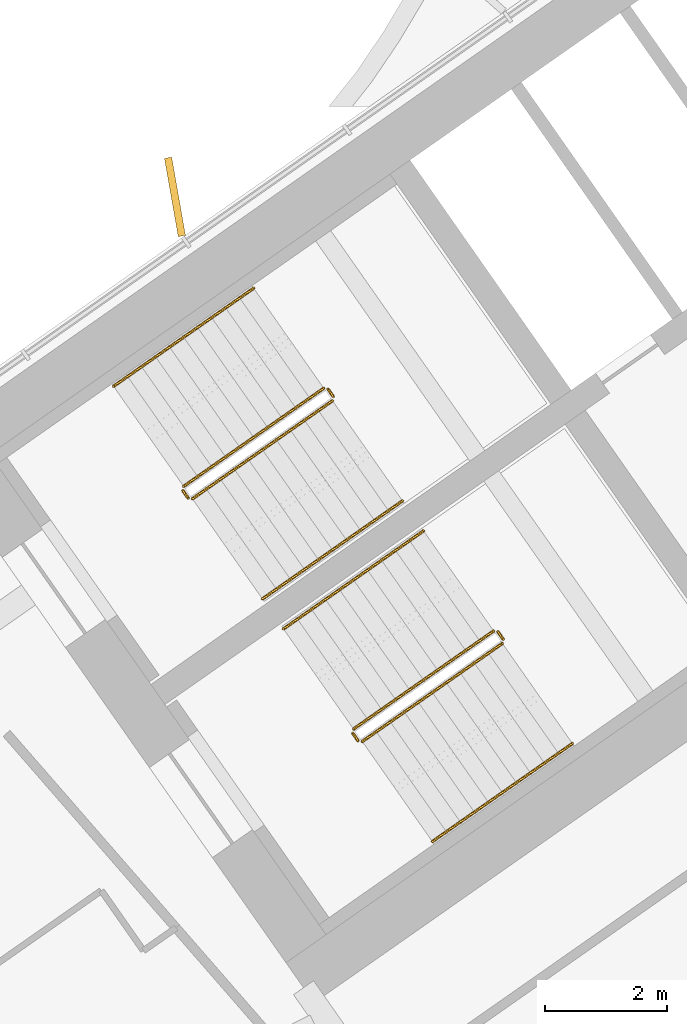
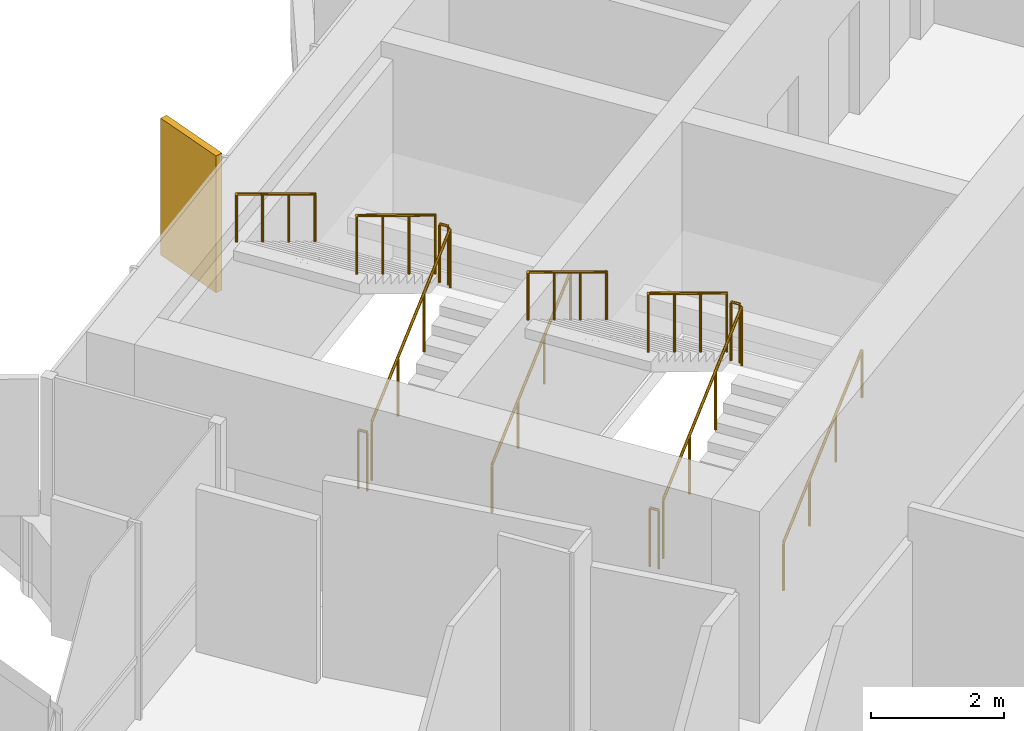
# One storey, part 18 of 22: 12 railings, 1 shading device.
"""IFC4 building model written with IfcOpenShell, lengths in metres."""

from ifc_helpers import new_model, si_unit, direction, frame, origin, origin_2d, place, context, subcontext, project, spatial, rectangle, circle, extrude, material, layer, layer_set, type_object, element, save


model = new_model("IFC4")

# Units and contexts
model_context = context("Model", 3, precision=1e-05, world=origin(), true_north=direction((0.0, 1.0)))
body_context = subcontext(model_context, "Body", "Model", "MODEL_VIEW")
ifc_project = project(units=[si_unit("LENGTHUNIT", "METRE"), si_unit("AREAUNIT", "SQUARE_METRE"), si_unit("VOLUMEUNIT", "CUBIC_METRE"), si_unit("PLANEANGLEUNIT", "RADIAN"), si_unit("MASSUNIT", "GRAM", prefix="KILO")], contexts=[model_context])

# Site, building, storey
site_placement = place(None, origin())
site = spatial("IfcSite", under=ifc_project, at=site_placement, CompositionType="ELEMENT")
building_placement = place(site_placement, origin())
building = spatial("IfcBuilding", under=site, at=building_placement, Name="Tel Ilan Convention Tower", CompositionType="ELEMENT")
storey_placement = place(building_placement, frame((0.0, 0.0, 143.699951171875)))
storey = spatial("IfcBuildingStorey", under=building, at=storey_placement, Name="L32", CompositionType="ELEMENT", Elevation=143.699951171875)

# Shading device
ifc_material_1 = material(Name="Aluminium, bronze anodised", Category="aluminium")
ifc_layer = layer(ifc_material_1, 0.1201171875)
ifc_layer_set = layer_set([ifc_layer], Name="FIN BRONZE 1300x120")
shading_device_type = type_object("IfcShadingDeviceType", Name="FIN BRONZE 1300x120", PredefinedType="USERDEFINED", material=ifc_layer_set)
shading_device_placement = place(storey_placement, frame((-23.82080078125, -3.11181640625, 1.10009765625), z_axis=(0.0, 0.0, 1.0), x_axis=(-0.173648177667, 0.984807753012, 0.0)))
element("IfcShadingDevice", 1, at=shading_device_placement, inside=storey, type_object=shading_device_type, Name="FIN", ObjectType="FIN", PredefinedType="USERDEFINED", context=body_context, shape_type="SweptSolid", body=[
    extrude(rectangle(XDim=1.300048828125, YDim=0.1201171875, at=origin_2d()), origin(), (0.0, 0.0, 1.0), 2.52001953125),
])

# Railings
ifc_material_2 = material(Name="Stainless Steel Grade 316", Category="steel")
railing_type_1 = type_object("IfcRailingType", Name="Stainless Steel Stair Guard 1100 mm", PredefinedType="GUARDRAIL", material=ifc_material_2)
railing_1_placement = place(storey_placement, frame((-23.535400390625, -8.056396484375, 0.17724609375)))
element("IfcRailing", 2, at=railing_1_placement, inside=storey, type_object=railing_type_1, Name="L32 S1 stair guard 1", PredefinedType="GUARDRAIL", context=body_context, shape_type="SweptSolid", body=[
    extrude(circle(Radius=0.02392578125, at=origin_2d()), frame((0.0, 0.0, 1.076171875), z_axis=(0.692098378994, 0.484653031975, 0.534893701956), x_axis=(-0.573608623498, 0.819129505664, 0.0)), (0.0, 0.0, 1.0), 3.314208984375),
    extrude(circle(Radius=0.02099609375, at=origin_2d()), origin(), (0.0, 0.0, 1.0), 1.052001953125),
    extrude(circle(Radius=0.02099609375, at=origin_2d()), frame((0.7646484375, 0.535400390625, 0.5908203125)), (0.0, 0.0, 1.0), 1.052001953125),
    extrude(circle(Radius=0.02099609375, at=origin_2d()), frame((1.529052734375, 1.07080078125, 1.181884765625)), (0.0, 0.0, 1.0), 1.052001953125),
    extrude(circle(Radius=0.02099609375, at=origin_2d()), frame((2.293701171875, 1.606201171875, 1.772705078125)), (0.0, 0.0, 1.0), 1.052001953125),
])
railing_2_placement = place(storey_placement, frame((-21.2294921875, -6.380615234375, 1.949951171875)))
element("IfcRailing", 3, at=railing_2_placement, inside=storey, type_object=railing_type_1, Name="L32 S1 stair guard 2", PredefinedType="GUARDRAIL", context=body_context, shape_type="SweptSolid", body=[
    extrude(circle(Radius=0.02392578125, at=origin_2d()), frame((0.0, 0.0, 1.076171875), z_axis=(-0.573353020881, 0.819308436089, 0.0), x_axis=(-0.819308436089, -0.573353020881, 0.0)), (0.0, 0.0, 1.0), 0.14990234375),
    extrude(circle(Radius=0.02099609375, at=origin_2d()), origin(), (0.0, 0.0, 1.0), 1.052001953125),
    extrude(circle(Radius=0.02099609375, at=origin_2d()), frame((-0.0859375, 0.122802734375, 0.0)), (0.0, 0.0, 1.0), 1.052001953125),
])
railing_3_placement = place(storey_placement, frame((-21.38525390625, -6.24560546875, 2.12744140625)))
element("IfcRailing", 4, at=railing_3_placement, inside=storey, type_object=railing_type_1, Name="L32 S1 stair guard 3", PredefinedType="GUARDRAIL", context=body_context, shape_type="SweptSolid", body=[
    extrude(circle(Radius=0.02392578125, at=origin_2d()), frame((0.0, 0.0, 1.076171875), z_axis=(-0.692084706163, -0.484621375041, 0.534940073605), x_axis=(0.573591086599, -0.819141785879, 0.0)), (0.0, 0.0, 1.0), 3.313720703125),
    extrude(circle(Radius=0.02099609375, at=origin_2d()), origin(), (0.0, 0.0, 1.0), 1.052001953125),
    extrude(circle(Radius=0.02099609375, at=origin_2d()), frame((-0.764404296875, -0.535400390625, 0.5908203125)), (0.0, 0.0, 1.0), 1.052001953125),
    extrude(circle(Radius=0.02099609375, at=origin_2d()), frame((-1.529052734375, -1.070556640625, 1.181884765625)), (0.0, 0.0, 1.0), 1.052001953125),
    extrude(circle(Radius=0.02099609375, at=origin_2d()), frame((-2.29345703125, -1.60595703125, 1.772705078125)), (0.0, 0.0, 1.0), 1.052001953125),
])
railing_4_placement = place(storey_placement, frame((-23.60498046875, -8.0439453125, 0.0)))
element("IfcRailing", 5, at=railing_4_placement, inside=storey, type_object=railing_type_1, Name="L32 S1 stair guard 4", PredefinedType="GUARDRAIL", context=body_context, shape_type="SweptSolid", body=[
    extrude(circle(Radius=0.02392578125, at=origin_2d()), frame((0.0, 0.0, 1.076171875), z_axis=(-0.574444878118, 0.818543268254, 0.0), x_axis=(-0.818543268254, -0.574444878118, 0.0)), (0.0, 0.0, 1.0), 0.150146484375),
    extrude(circle(Radius=0.02099609375, at=origin_2d()), origin(), (0.0, 0.0, 1.0), 1.052001953125),
    extrude(circle(Radius=0.02099609375, at=origin_2d()), frame((-0.086181640625, 0.122802734375, 0.0)), (0.0, 0.0, 1.0), 1.052001953125),
])
railing_5_placement = place(storey_placement, frame((-20.753662109375, -12.029296875, 0.17724609375)))
element("IfcRailing", 6, at=railing_5_placement, inside=storey, type_object=railing_type_1, Name="L32 S2 stair guard 1", PredefinedType="GUARDRAIL", context=body_context, shape_type="SweptSolid", body=[
    extrude(circle(Radius=0.02392578125, at=origin_2d()), frame((0.0, 0.0, 1.076171875), z_axis=(0.692098378994, 0.484653031975, 0.534893701956), x_axis=(-0.573608623498, 0.819129505664, 0.0)), (0.0, 0.0, 1.0), 3.314208984375),
    extrude(circle(Radius=0.02099609375, at=origin_2d()), origin(), (0.0, 0.0, 1.0), 1.052001953125),
    extrude(circle(Radius=0.02099609375, at=origin_2d()), frame((0.7646484375, 0.535400390625, 0.5908203125)), (0.0, 0.0, 1.0), 1.052001953125),
    extrude(circle(Radius=0.02099609375, at=origin_2d()), frame((1.529052734375, 1.07080078125, 1.181884765625)), (0.0, 0.0, 1.0), 1.052001953125),
    extrude(circle(Radius=0.02099609375, at=origin_2d()), frame((2.293701171875, 1.606201171875, 1.772705078125)), (0.0, 0.0, 1.0), 1.052001953125),
])
railing_6_placement = place(storey_placement, frame((-18.44775390625, -10.353515625, 1.949951171875)))
element("IfcRailing", 7, at=railing_6_placement, inside=storey, type_object=railing_type_1, Name="L32 S2 stair guard 2", PredefinedType="GUARDRAIL", context=body_context, shape_type="SweptSolid", body=[
    extrude(circle(Radius=0.02392578125, at=origin_2d()), frame((0.0, 0.0, 1.076171875), z_axis=(-0.573353020881, 0.819308436089, 0.0), x_axis=(-0.819308436089, -0.573353020881, 0.0)), (0.0, 0.0, 1.0), 0.14990234375),
    extrude(circle(Radius=0.02099609375, at=origin_2d()), origin(), (0.0, 0.0, 1.0), 1.052001953125),
    extrude(circle(Radius=0.02099609375, at=origin_2d()), frame((-0.0859375, 0.122802734375, 0.0)), (0.0, 0.0, 1.0), 1.052001953125),
])
railing_7_placement = place(storey_placement, frame((-18.603271484375, -10.218505859375, 2.12744140625)))
element("IfcRailing", 8, at=railing_7_placement, inside=storey, type_object=railing_type_1, Name="L32 S2 stair guard 3", PredefinedType="GUARDRAIL", context=body_context, shape_type="SweptSolid", body=[
    extrude(circle(Radius=0.02392578125, at=origin_2d()), frame((0.0, 0.0, 1.076171875), z_axis=(-0.692123088272, -0.484596665743, 0.534912798717), x_axis=(0.573550118428, -0.819170471667, 0.0)), (0.0, 0.0, 1.0), 3.31396484375),
    extrude(circle(Radius=0.02099609375, at=origin_2d()), origin(), (0.0, 0.0, 1.0), 1.052001953125),
    extrude(circle(Radius=0.02099609375, at=origin_2d()), frame((-0.7646484375, -0.535400390625, 0.5908203125)), (0.0, 0.0, 1.0), 1.052001953125),
    extrude(circle(Radius=0.02099609375, at=origin_2d()), frame((-1.529052734375, -1.070556640625, 1.181884765625)), (0.0, 0.0, 1.0), 1.052001953125),
    extrude(circle(Radius=0.02099609375, at=origin_2d()), frame((-2.293701171875, -1.60595703125, 1.772705078125)), (0.0, 0.0, 1.0), 1.052001953125),
])
railing_8_placement = place(storey_placement, frame((-20.8232421875, -12.016845703125, 0.0)))
element("IfcRailing", 9, at=railing_8_placement, inside=storey, type_object=railing_type_1, Name="L32 S2 stair guard 4", PredefinedType="GUARDRAIL", context=body_context, shape_type="SweptSolid", body=[
    extrude(circle(Radius=0.02392578125, at=origin_2d()), frame((0.0, 0.0, 1.076171875), z_axis=(-0.573353020881, 0.819308436089, 0.0), x_axis=(-0.819308436089, -0.573353020881, 0.0)), (0.0, 0.0, 1.0), 0.14990234375),
    extrude(circle(Radius=0.02099609375, at=origin_2d()), origin(), (0.0, 0.0, 1.0), 1.052001953125),
    extrude(circle(Radius=0.02099609375, at=origin_2d()), frame((-0.0859375, 0.122802734375, 0.0)), (0.0, 0.0, 1.0), 1.052001953125),
])
ifc_material_3 = material(Name="Stainless Steel Grade 316", Category="steel")
railing_type_2 = type_object("IfcRailingType", Name="Stainless Steel Stair Handrail 900 mm", PredefinedType="HANDRAIL", material=ifc_material_3)
railing_9_placement = place(storey_placement, frame((-22.38818359375, -9.694580078125, 0.17724609375)))
element("IfcRailing", 10, at=railing_9_placement, inside=storey, type_object=railing_type_2, Name="L32 S1 stair handrail 1", PredefinedType="HANDRAIL", context=body_context, shape_type="SweptSolid", body=[
    extrude(circle(Radius=0.02392578125, at=origin_2d()), frame((0.0, 0.0, 0.8759765625), z_axis=(0.692084706163, 0.484621375041, 0.534940073605), x_axis=(-0.573591086599, 0.819141785879, 0.0)), (0.0, 0.0, 1.0), 3.313720703125),
    extrude(circle(Radius=0.02099609375, at=origin_2d()), origin(), (0.0, 0.0, 1.0), 0.851806640625),
    extrude(circle(Radius=0.02099609375, at=origin_2d()), frame((0.764404296875, 0.535400390625, 0.5908203125)), (0.0, 0.0, 1.0), 0.851806640625),
    extrude(circle(Radius=0.02099609375, at=origin_2d()), frame((1.529052734375, 1.070556640625, 1.181884765625)), (0.0, 0.0, 1.0), 0.851806640625),
    extrude(circle(Radius=0.02099609375, at=origin_2d()), frame((2.29345703125, 1.60595703125, 1.772705078125)), (0.0, 0.0, 1.0), 0.851806640625),
])
railing_10_placement = place(storey_placement, frame((-22.5322265625, -4.607177734375, 2.12744140625)))
element("IfcRailing", 11, at=railing_10_placement, inside=storey, type_object=railing_type_2, Name="L32 S1 stair handrail 2", PredefinedType="HANDRAIL", context=body_context, shape_type="SweptSolid", body=[
    extrude(circle(Radius=0.02392578125, at=origin_2d()), frame((0.0, 0.0, 0.8759765625), z_axis=(-0.692123088272, -0.484596665743, 0.534912798717), x_axis=(0.573550118428, -0.819170471667, 0.0)), (0.0, 0.0, 1.0), 3.31396484375),
    extrude(circle(Radius=0.02099609375, at=origin_2d()), origin(), (0.0, 0.0, 1.0), 0.851806640625),
    extrude(circle(Radius=0.02099609375, at=origin_2d()), frame((-0.7646484375, -0.535400390625, 0.5908203125)), (0.0, 0.0, 1.0), 0.851806640625),
    extrude(circle(Radius=0.02099609375, at=origin_2d()), frame((-1.529052734375, -1.070556640625, 1.181884765625)), (0.0, 0.0, 1.0), 0.851806640625),
    extrude(circle(Radius=0.02099609375, at=origin_2d()), frame((-2.293701171875, -1.60595703125, 1.772705078125)), (0.0, 0.0, 1.0), 0.851806640625),
])
railing_11_placement = place(storey_placement, frame((-19.6064453125, -13.66748046875, 0.17724609375)))
element("IfcRailing", 12, at=railing_11_placement, inside=storey, type_object=railing_type_2, Name="L32 S2 stair handrail 1", PredefinedType="HANDRAIL", context=body_context, shape_type="SweptSolid", body=[
    extrude(circle(Radius=0.02392578125, at=origin_2d()), frame((0.0, 0.0, 0.8759765625), z_axis=(0.692123088272, 0.484596665743, 0.534912798717), x_axis=(-0.573550118428, 0.819170471667, 0.0)), (0.0, 0.0, 1.0), 3.31396484375),
    extrude(circle(Radius=0.02099609375, at=origin_2d()), origin(), (0.0, 0.0, 1.0), 0.851806640625),
    extrude(circle(Radius=0.02099609375, at=origin_2d()), frame((0.7646484375, 0.535400390625, 0.5908203125)), (0.0, 0.0, 1.0), 0.851806640625),
    extrude(circle(Radius=0.02099609375, at=origin_2d()), frame((1.529052734375, 1.070556640625, 1.181884765625)), (0.0, 0.0, 1.0), 0.851806640625),
    extrude(circle(Radius=0.02099609375, at=origin_2d()), frame((2.293701171875, 1.60595703125, 1.772705078125)), (0.0, 0.0, 1.0), 0.851806640625),
])
railing_12_placement = place(storey_placement, frame((-19.75048828125, -8.580078125, 2.12744140625)))
element("IfcRailing", 13, at=railing_12_placement, inside=storey, type_object=railing_type_2, Name="L32 S2 stair handrail 2", PredefinedType="HANDRAIL", context=body_context, shape_type="SweptSolid", body=[
    extrude(circle(Radius=0.02392578125, at=origin_2d()), frame((0.0, 0.0, 0.8759765625), z_axis=(-0.692123088272, -0.484596665743, 0.534912798717), x_axis=(0.573550118428, -0.819170471667, 0.0)), (0.0, 0.0, 1.0), 3.31396484375),
    extrude(circle(Radius=0.02099609375, at=origin_2d()), origin(), (0.0, 0.0, 1.0), 0.851806640625),
    extrude(circle(Radius=0.02099609375, at=origin_2d()), frame((-0.7646484375, -0.535400390625, 0.5908203125)), (0.0, 0.0, 1.0), 0.851806640625),
    extrude(circle(Radius=0.02099609375, at=origin_2d()), frame((-1.529052734375, -1.070556640625, 1.181884765625)), (0.0, 0.0, 1.0), 0.851806640625),
    extrude(circle(Radius=0.02099609375, at=origin_2d()), frame((-2.293701171875, -1.60595703125, 1.772705078125)), (0.0, 0.0, 1.0), 0.851806640625),
])

save(model, "model.ifc")
